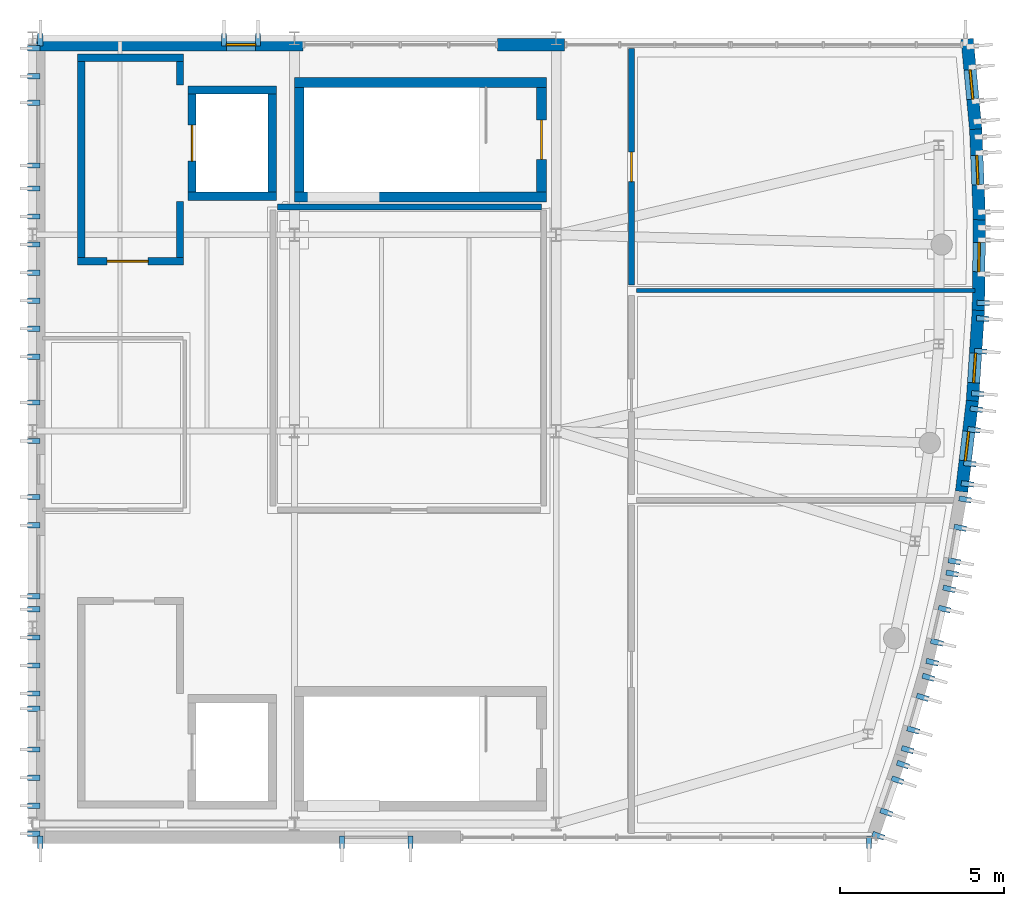
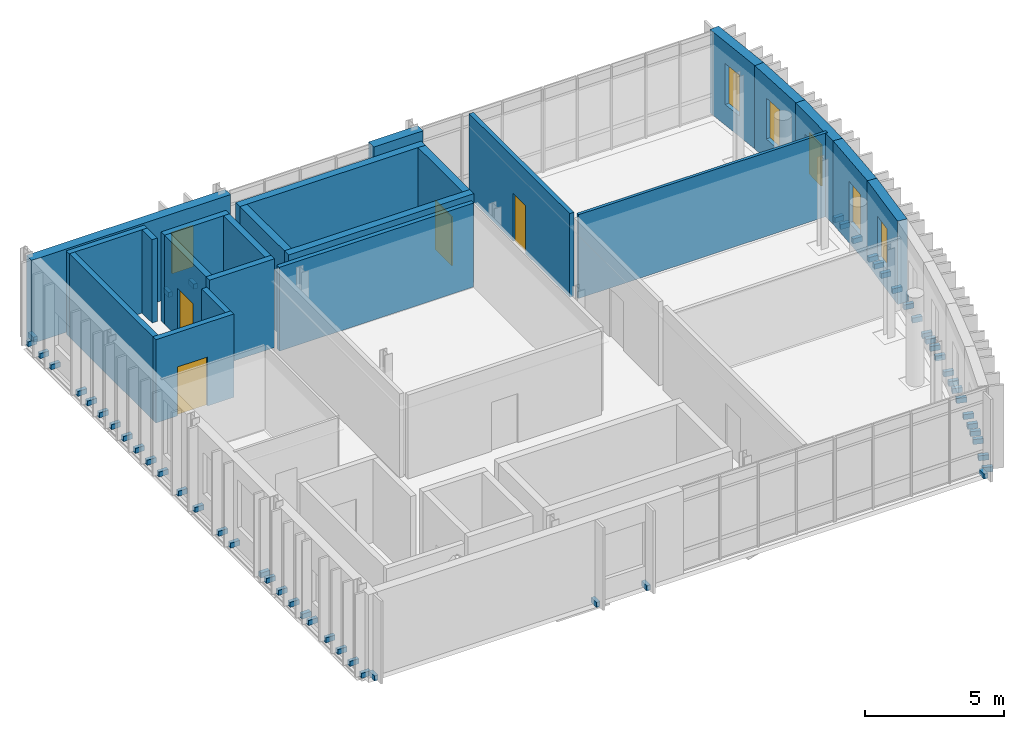
# One storey, part 7 of 9: 56 discrete accessories, 23 walls, 6 windows, 4 doors, 10 openings.
"""IFC4 building model written with IfcOpenShell, lengths in metres."""

from ifc_helpers import new_model, si_unit, direction, frame, frame_2d, origin, origin_2d, place, context, subcontext, project, spatial, rectangle, extrude, material, layer, layer_set, type_object, element, fill, save


model = new_model("IFC4")

# Units and contexts
model_context = context("Model", 3, precision=1e-05, world=origin(), true_north=direction((0.0, 1.0)))
body_context = subcontext(model_context, "Body", "Model", "MODEL_VIEW")
ifc_project = project(units=[si_unit("LENGTHUNIT", "METRE"), si_unit("AREAUNIT", "SQUARE_METRE"), si_unit("VOLUMEUNIT", "CUBIC_METRE"), si_unit("PLANEANGLEUNIT", "RADIAN"), si_unit("MASSUNIT", "GRAM", prefix="KILO")], contexts=[model_context])

# Site, building, storey
site_placement = place(None, origin())
site = spatial("IfcSite", under=ifc_project, at=site_placement, CompositionType="ELEMENT")
building_placement = place(site_placement, origin())
building = spatial("IfcBuilding", under=site, at=building_placement, Name="Cymarion Research Institute", CompositionType="ELEMENT")
storey_placement = place(building_placement, frame((0.0, 0.0, 42.300048828125)))
storey = spatial("IfcBuildingStorey", under=building, at=storey_placement, Name="L10", CompositionType="ELEMENT", Elevation=42.300048828125)

# Wall, opening, window
ifc_material_1 = material(Name="Precast concrete C40/50", Category="concrete")
ifc_layer_1 = layer(ifc_material_1, 0.3798828125)
ifc_layer_set_1 = layer_set([ifc_layer_1], Name="Precast concrete C40/50")
wall_type_1 = type_object("IfcWallType", Name="EXTERIOR WALL EW-PC380 380MM", PredefinedType="SOLIDWALL", material=ifc_layer_set_1)
wall_1_placement = place(storey_placement, frame((166.984619140625, 15.6552734375, 0.0), z_axis=(0.0, 0.0, 1.0), x_axis=(0.118779618782, 0.992920642429, 0.0)))
wall_1 = element("IfcWall", 1, at=wall_1_placement, inside=storey, type_object=wall_type_1, Name="L10 V1 exterior wall EW-PC380 #328", PredefinedType="SOLIDWALL", context=body_context, shape_type="SweptSolid", body=[
    extrude(rectangle(XDim=2.791259765625, YDim=0.3798828125, at=frame_2d((1.3955078125, 0.0))), origin(), (0.0, 0.0, 1.0), 3.659912109375),
])
opening_1_placement = place(wall_1_placement, frame((0.946044921875, 0.0, 0.89990234375)))
opening_1 = element("IfcOpeningElement", 2, at=opening_1_placement, cuts=wall_1, Name="Opening W24", PredefinedType="OPENING", context=body_context, shape_type="SweptSolid", body=[
    extrude(rectangle(XDim=0.89990234375, YDim=1.800048828125, at=frame_2d((0.449951171875, 0.89990234375))), frame((0.0, 0.199951171875, 0.0), z_axis=(0.0, -1.0, 0.0), x_axis=(1.0, 0.0, 0.0)), (0.0, 0.0, 1.0), 0.39990234375),
])
ifc_material_2 = material(Name="Thermally broken aluminium window with Low-E glazing", Category="aluminium")
window_type = type_object("IfcWindowType", Name="THERMALLY BROKEN ALUMINIUM WINDOW W24 900X1800", PartitioningType="SINGLE_PANEL", PredefinedType="WINDOW", material=ifc_material_2)
window_1_placement = place(opening_1_placement, origin())
window_1 = element("IfcWindow", 3, at=window_1_placement, inside=storey, type_object=window_type, Name="L10 V1 facade window W24 #567", OverallHeight=1.800048828125, OverallWidth=0.89990234375, PartitioningType="SINGLE_PANEL", PredefinedType="WINDOW", context=body_context, shape_type="SweptSolid", body=[
    extrude(rectangle(XDim=0.89990234375, YDim=1.800048828125, at=frame_2d((0.449951171875, 0.89990234375))), frame((0.0, 0.030029296875, 0.0), z_axis=(0.0, -1.0, 0.0), x_axis=(1.0, 0.0, 0.0)), (0.0, 0.0, 1.0), 0.06005859375),
])
fill(opening_1, window_1)

wall_2_placement = place(storey_placement, frame((167.314453125, 18.404541015625, 0.0), z_axis=(0.0, 0.0, 1.0), x_axis=(0.065595994181, 0.997846263483, 0.0)))
wall_2 = element("IfcWall", 4, at=wall_2_placement, inside=storey, type_object=wall_type_1, Name="L10 V1 exterior wall EW-PC380 #329", PredefinedType="SOLIDWALL", context=body_context, shape_type="SweptSolid", body=[
    extrude(rectangle(XDim=2.79150390625, YDim=0.3798828125, at=frame_2d((1.395751953125, 0.0))), origin(), (0.0, 0.0, 1.0), 3.659912109375),
])
opening_2_placement = place(wall_2_placement, frame((0.5791015625, 0.0, 0.89990234375)))
opening_2 = element("IfcOpeningElement", 5, at=opening_2_placement, cuts=wall_2, Name="Opening W24", PredefinedType="OPENING", context=body_context, shape_type="SweptSolid", body=[
    extrude(rectangle(XDim=0.89990234375, YDim=1.800048828125, at=frame_2d((0.449951171875, 0.89990234375))), frame((0.0, 0.199951171875, 0.0), z_axis=(0.0, -1.0, 0.0), x_axis=(1.0, 0.0, 0.0)), (0.0, 0.0, 1.0), 0.39990234375),
])
window_2_placement = place(opening_2_placement, origin())
window_2 = element("IfcWindow", 6, at=window_2_placement, inside=storey, type_object=window_type, Name="L10 V1 facade window W24 #568", OverallHeight=1.800048828125, OverallWidth=0.89990234375, PartitioningType="SINGLE_PANEL", PredefinedType="WINDOW", context=body_context, shape_type="SweptSolid", body=[
    extrude(rectangle(XDim=0.89990234375, YDim=1.800048828125, at=frame_2d((0.449951171875, 0.89990234375))), frame((0.0, 0.030029296875, 0.0), z_axis=(0.0, -1.0, 0.0), x_axis=(1.0, 0.0, 0.0)), (0.0, 0.0, 1.0), 0.06005859375),
])
fill(opening_2, window_2)

wall_3_placement = place(storey_placement, frame((167.4970703125, 21.167724609375, 0.0), z_axis=(0.0, 0.0, 1.0), x_axis=(0.012157953676, 0.99992608935, 0.0)))
wall_3 = element("IfcWall", 7, at=wall_3_placement, inside=storey, type_object=wall_type_1, Name="L10 V1 exterior wall EW-PC380 #330", PredefinedType="SOLIDWALL", context=body_context, shape_type="SweptSolid", body=[
    extrude(rectangle(XDim=2.791259765625, YDim=0.3798828125, at=frame_2d((1.3955078125, 0.0))), origin(), (0.0, 0.0, 1.0), 3.659912109375),
])
opening_3_placement = place(wall_3_placement, frame((1.201904296875, 0.0, 0.89990234375)))
opening_3 = element("IfcOpeningElement", 8, at=opening_3_placement, cuts=wall_3, Name="Opening W24", PredefinedType="OPENING", context=body_context, shape_type="SweptSolid", body=[
    extrude(rectangle(XDim=0.89990234375, YDim=1.800048828125, at=frame_2d((0.449951171875, 0.89990234375))), frame((0.0, 0.199951171875, 0.0), z_axis=(0.0, -1.0, 0.0), x_axis=(1.0, 0.0, 0.0)), (0.0, 0.0, 1.0), 0.39990234375),
])
window_3_placement = place(opening_3_placement, origin())
window_3 = element("IfcWindow", 9, at=window_3_placement, inside=storey, type_object=window_type, Name="L10 V1 facade window W24 #569", OverallHeight=1.800048828125, OverallWidth=0.89990234375, PartitioningType="SINGLE_PANEL", PredefinedType="WINDOW", context=body_context, shape_type="SweptSolid", body=[
    extrude(rectangle(XDim=0.89990234375, YDim=1.800048828125, at=frame_2d((0.449951171875, 0.89990234375))), frame((0.0, 0.030029296875, 0.0), z_axis=(0.0, -1.0, 0.0), x_axis=(1.0, 0.0, 0.0)), (0.0, 0.0, 1.0), 0.06005859375),
])
fill(opening_3, window_3)

wall_4_placement = place(storey_placement, frame((167.53173828125, 23.9365234375, 0.0), z_axis=(0.0, 0.0, 1.0), x_axis=(-0.041284914613, 0.999147414462, 0.0)))
wall_4 = element("IfcWall", 10, at=wall_4_placement, inside=storey, type_object=wall_type_1, Name="L10 V1 exterior wall EW-PC380 #331", PredefinedType="SOLIDWALL", context=body_context, shape_type="SweptSolid", body=[
    extrude(rectangle(XDim=2.791259765625, YDim=0.3798828125, at=frame_2d((1.3955078125, 0.0))), origin(), (0.0, 0.0, 1.0), 3.659912109375),
])
opening_4_placement = place(wall_4_placement, frame((1.093017578125, 0.0, 0.89990234375)))
opening_4 = element("IfcOpeningElement", 11, at=opening_4_placement, cuts=wall_4, Name="Opening W24", PredefinedType="OPENING", context=body_context, shape_type="SweptSolid", body=[
    extrude(rectangle(XDim=0.89990234375, YDim=1.800048828125, at=frame_2d((0.449951171875, 0.89990234375))), frame((0.0, 0.199951171875, 0.0), z_axis=(0.0, -1.0, 0.0), x_axis=(1.0, 0.0, 0.0)), (0.0, 0.0, 1.0), 0.39990234375),
])
window_4_placement = place(opening_4_placement, origin())
window_4 = element("IfcWindow", 12, at=window_4_placement, inside=storey, type_object=window_type, Name="L10 V1 facade window W24 #570", OverallHeight=1.800048828125, OverallWidth=0.89990234375, PartitioningType="SINGLE_PANEL", PredefinedType="WINDOW", context=body_context, shape_type="SweptSolid", body=[
    extrude(rectangle(XDim=0.89990234375, YDim=1.800048828125, at=frame_2d((0.449951171875, 0.89990234375))), frame((0.0, 0.030029296875, 0.0), z_axis=(0.0, -1.0, 0.0), x_axis=(1.0, 0.0, 0.0)), (0.0, 0.0, 1.0), 0.06005859375),
])
fill(opening_4, window_4)

wall_5_placement = place(storey_placement, frame((167.418212890625, 26.703369140625, 0.0), z_axis=(0.0, 0.0, 1.0), x_axis=(-0.094557288026, 0.99551942185, 0.0)))
wall_5 = element("IfcWall", 13, at=wall_5_placement, inside=storey, type_object=wall_type_1, Name="L10 V1 exterior wall EW-PC380 #332", PredefinedType="SOLIDWALL", context=body_context, shape_type="SweptSolid", body=[
    extrude(rectangle(XDim=2.791015625, YDim=0.3798828125, at=frame_2d((1.3955078125, 0.0))), origin(), (0.0, 0.0, 1.0), 3.659912109375),
])
opening_5_placement = place(wall_5_placement, frame((0.946044921875, 0.0, 0.89990234375)))
opening_5 = element("IfcOpeningElement", 14, at=opening_5_placement, cuts=wall_5, Name="Opening W24", PredefinedType="OPENING", context=body_context, shape_type="SweptSolid", body=[
    extrude(rectangle(XDim=0.89990234375, YDim=1.800048828125, at=frame_2d((0.449951171875, 0.89990234375))), frame((0.0, 0.199951171875, 0.0), z_axis=(0.0, -1.0, 0.0), x_axis=(1.0, 0.0, 0.0)), (0.0, 0.0, 1.0), 0.39990234375),
])
window_5_placement = place(opening_5_placement, origin())
window_5 = element("IfcWindow", 15, at=window_5_placement, inside=storey, type_object=window_type, Name="L10 V1 facade window W24 #571", OverallHeight=1.800048828125, OverallWidth=0.89990234375, PartitioningType="SINGLE_PANEL", PredefinedType="WINDOW", context=body_context, shape_type="SweptSolid", body=[
    extrude(rectangle(XDim=0.89990234375, YDim=1.800048828125, at=frame_2d((0.449951171875, 0.89990234375))), frame((0.0, 0.030029296875, 0.0), z_axis=(0.0, -1.0, 0.0), x_axis=(1.0, 0.0, 0.0)), (0.0, 0.0, 1.0), 0.06005859375),
])
fill(opening_5, window_5)

# Wall
wall_6_placement = place(storey_placement, frame((154.860107421875, 29.31005859375, 0.0), z_axis=(0.0, 0.0, 1.0), x_axis=(-1.0, 0.0, 0.0)))
element("IfcWall", 16, at=wall_6_placement, inside=storey, type_object=wall_type_1, Name="L10 V1 facade pier wall EW-PC380 #333", PredefinedType="SOLIDWALL", context=body_context, shape_type="SweptSolid", body=[
    extrude(rectangle(XDim=2.05224609375, YDim=0.3798828125, at=frame_2d((1.026123046875, 0.0))), origin(), (0.0, 0.0, 1.0), 3.659912109375),
])

# Wall, opening, window
wall_7_placement = place(storey_placement, frame((146.860107421875, 29.31005859375, 0.0), z_axis=(0.0, 0.0, 1.0), x_axis=(-1.0, 0.0, 0.0)))
wall_7 = element("IfcWall", 17, at=wall_7_placement, inside=storey, type_object=wall_type_1, Name="L10 V1 facade pier wall EW-PC380 #334", PredefinedType="SOLIDWALL", context=body_context, shape_type="SweptSolid", body=[
    extrude(rectangle(XDim=8.260009765625, YDim=0.3798828125, at=frame_2d((4.1298828125, 0.0))), origin(), (0.0, 0.0, 1.0), 3.659912109375),
])
opening_6_placement = place(wall_7_placement, frame((1.44091796875, 0.0, 0.89990234375)))
opening_6 = element("IfcOpeningElement", 18, at=opening_6_placement, cuts=wall_7, Name="Opening W24", PredefinedType="OPENING", context=body_context, shape_type="SweptSolid", body=[
    extrude(rectangle(XDim=0.89990234375, YDim=1.800048828125, at=frame_2d((0.449951171875, 0.89990234375))), frame((0.0, 0.199951171875, 0.0), z_axis=(0.0, -1.0, 0.0), x_axis=(1.0, 0.0, 0.0)), (0.0, 0.0, 1.0), 0.39990234375),
])
window_6_placement = place(opening_6_placement, origin())
window_6 = element("IfcWindow", 19, at=window_6_placement, inside=storey, type_object=window_type, Name="L10 V1 facade window W24 #572", OverallHeight=1.800048828125, OverallWidth=0.89990234375, PartitioningType="SINGLE_PANEL", PredefinedType="WINDOW", context=body_context, shape_type="SweptSolid", body=[
    extrude(rectangle(XDim=0.89990234375, YDim=1.800048828125, at=frame_2d((0.449951171875, 0.89990234375))), frame((0.0, 0.030029296875, 0.0), z_axis=(0.0, -1.0, 0.0), x_axis=(1.0, 0.0, 0.0)), (0.0, 0.0, 1.0), 0.06005859375),
])
fill(opening_6, window_6)

# Wall
ifc_material_3 = material(Name="Moisture-resistant laboratory partition", Category="gypsum")
ifc_layer_2 = layer(ifc_material_3, 0.179931640625)
ifc_layer_set_2 = layer_set([ifc_layer_2], Name="Moisture-resistant laboratory partition")
wall_type_2 = type_object("IfcWallType", Name="INTERIOR PARTITION IW-LB180 180MM", PredefinedType="PARTITIONING", material=ifc_layer_set_2)
wall_8_placement = place(storey_placement, frame((146.080078125, 24.35009765625, 0.0), z_axis=(0.0, 0.0, 1.0), x_axis=(1.0, 0.0, 0.0)))
element("IfcWall", 20, at=wall_8_placement, inside=storey, type_object=wall_type_2, Name="L10 V1 interior partition IW-LB180 #427", PredefinedType="PARTITIONING", context=body_context, shape_type="SweptSolid", body=[
    extrude(rectangle(XDim=8.06982421875, YDim=0.179931640625, at=frame_2d((4.034912109375, 0.0))), origin(), (0.0, 0.0, 1.0), 3.679931640625),
])

# Wall, opening, door
wall_9_placement = place(storey_placement, frame((156.89990234375, 21.9599609375, 0.0), z_axis=(0.0, 0.0, 1.0), x_axis=(0.0, 1.0, 0.0)))
wall_9 = element("IfcWall", 21, at=wall_9_placement, inside=storey, type_object=wall_type_2, Name="L10 V1 interior partition IW-LB180 #434", PredefinedType="PARTITIONING", context=body_context, shape_type="SweptSolid", body=[
    extrude(rectangle(XDim=7.235107421875, YDim=0.179931640625, at=frame_2d((3.61767578125, 0.0))), origin(), (0.0, 0.0, 1.0), 3.679931640625),
])
opening_7_placement = place(wall_9_placement, frame((3.1669921875, 0.0, 0.0)))
opening_7 = element("IfcOpeningElement", 22, at=opening_7_placement, cuts=wall_9, Name="Opening D-L10-247", PredefinedType="OPENING", context=body_context, shape_type="SweptSolid", body=[
    extrude(rectangle(XDim=0.89990234375, YDim=2.10009765625, at=frame_2d((0.449951171875, 1.050048828125))), frame((0.0, 0.099853515625, 0.0), z_axis=(0.0, -1.0, 0.0), x_axis=(1.0, 0.0, 0.0)), (0.0, 0.0, 1.0), 0.199951171875),
])
ifc_material_4 = material(Name="Flush acoustic timber/steel door assembly", Category="steel")
door_type_1 = type_object("IfcDoorType", Name="ACCESSIBLE RESTROOM DOOR DT-WC090 900X2100", OperationType="NOTDEFINED", PredefinedType="DOOR", material=ifc_material_4)
door_1_placement = place(opening_7_placement, origin())
door_1 = element("IfcDoor", 23, at=door_1_placement, inside=storey, type_object=door_type_1, Name="L10 Tower WC door D-L10-247", OperationType="SINGLE_SWING_RIGHT", OverallHeight=2.10009765625, OverallWidth=0.89990234375, PredefinedType="DOOR", context=body_context, shape_type="SweptSolid", body=[
    extrude(rectangle(XDim=0.89990234375, YDim=2.10009765625, at=frame_2d((0.449951171875, 1.050048828125))), frame((0.0, 0.02490234375, 0.0), z_axis=(0.0, -1.0, 0.0), x_axis=(1.0, 0.0, 0.0)), (0.0, 0.0, 1.0), 0.050048828125),
])
fill(opening_7, door_1)

# Wall
ifc_material_5 = material(Name="Service riser shaft wall", Category="gypsum")
ifc_layer_3 = layer(ifc_material_5, 0.1201171875)
ifc_layer_set_3 = layer_set([ifc_layer_3], Name="Service riser shaft wall")
wall_type_3 = type_object("IfcWallType", Name="INTERIOR PARTITION IW-SH120 120MM", PredefinedType="PARTITIONING", material=ifc_layer_set_3)
wall_10_placement = place(storey_placement, frame((157.050048828125, 21.800048828125, 0.0), z_axis=(0.0, 0.0, 1.0), x_axis=(1.0, 0.0, 0.0)))
element("IfcWall", 24, at=wall_10_placement, inside=storey, type_object=wall_type_3, Name="L10 V1 interior partition IW-SH120 #431", PredefinedType="PARTITIONING", context=body_context, shape_type="SweptSolid", body=[
    extrude(rectangle(XDim=10.339599609375, YDim=0.1201171875, at=frame_2d((5.169921875, 0.0))), origin(), (0.0, 0.0, 1.0), 3.679931640625),
])

# Wall, opening, door
ifc_material_6 = material(Name="Concrete C40/50", Category="concrete")
ifc_layer_4 = layer(ifc_material_6, 0.219970703125)
ifc_layer_set_4 = layer_set([ifc_layer_4], Name="Concrete C40/50")
wall_type_4 = type_object("IfcWallType", Name="REINFORCED CONCRETE CORE WALL CW-FF220 220MM", PredefinedType="SOLIDWALL", material=ifc_layer_set_4)
wall_11_placement = place(storey_placement, frame((139.97998046875, 22.68994140625, 0.0), z_axis=(0.0, 0.0, 1.0), x_axis=(1.0, 0.0, 0.0)))
wall_11 = element("IfcWall", 25, at=wall_11_placement, inside=storey, type_object=wall_type_4, Name="L10 FFL-LF2-L10 south core wall", PredefinedType="SOLIDWALL", context=body_context, shape_type="SweptSolid", body=[
    extrude(rectangle(XDim=3.239990234375, YDim=0.219970703125, at=frame_2d((1.6201171875, 0.0))), origin(), (0.0, 0.0, 1.0), 3.659912109375),
])
opening_8_placement = place(wall_11_placement, frame((0.89990234375, 0.0, 0.0)))
opening_8 = element("IfcOpeningElement", 26, at=opening_8_placement, cuts=wall_11, Name="Opening FD-FFL-LF2-L10", PredefinedType="OPENING", context=body_context, shape_type="SweptSolid", body=[
    extrude(rectangle(XDim=1.25, YDim=2.14990234375, at=frame_2d((0.625, 1.074951171875))), frame((0.0, 0.119873046875, 0.0), z_axis=(0.0, -1.0, 0.0), x_axis=(1.0, 0.0, 0.0)), (0.0, 0.0, 1.0), 0.239990234375),
])
ifc_material_7 = material(Name="Fire-rated insulated steel door assembly", Category="steel")
door_type_2 = type_object("IfcDoorType", Name="FIREFIGHTING LOBBY DOOR DT-FF125 1250X2150", OperationType="NOTDEFINED", PredefinedType="DOOR", material=ifc_material_7)
door_2_placement = place(opening_8_placement, frame((1.25, 0.0, 0.0), z_axis=(0.0, 0.0, 1.0), x_axis=(-1.0, 0.0, 0.0)))
door_2 = element("IfcDoor", 27, at=door_2_placement, inside=storey, type_object=door_type_2, Name="L10 Firefighting lobby door FD-FFL-LF2-L10", OperationType="SINGLE_SWING_RIGHT", OverallHeight=2.14990234375, OverallWidth=1.25, PredefinedType="DOOR", context=body_context, shape_type="SweptSolid", body=[
    extrude(rectangle(XDim=1.25, YDim=2.14990234375, at=frame_2d((0.625, 1.074951171875))), frame((0.0, 0.02490234375, 0.0), z_axis=(0.0, -1.0, 0.0), x_axis=(1.0, 0.0, 0.0)), (0.0, 0.0, 1.0), 0.050048828125),
])
fill(opening_8, door_2)

# Walls
wall_12_placement = place(storey_placement, frame((143.219970703125, 28.909912109375, 0.0), z_axis=(0.0, 0.0, 1.0), x_axis=(-1.0, 0.0, 0.0)))
element("IfcWall", 28, at=wall_12_placement, inside=storey, type_object=wall_type_4, Name="L10 FFL-LF2-L10 north core wall", PredefinedType="SOLIDWALL", context=body_context, shape_type="SweptSolid", body=[
    extrude(rectangle(XDim=3.239990234375, YDim=0.219970703125, at=frame_2d((1.6201171875, 0.0))), origin(), (0.0, 0.0, 1.0), 3.659912109375),
])
wall_13_placement = place(storey_placement, frame((140.090087890625, 28.800048828125, 0.0), z_axis=(0.0, 0.0, 1.0), x_axis=(0.0, -1.0, 0.0)))
element("IfcWall", 29, at=wall_13_placement, inside=storey, type_object=wall_type_4, Name="L10 FFL-LF2-L10 west core wall", PredefinedType="SOLIDWALL", context=body_context, shape_type="SweptSolid", body=[
    extrude(rectangle(XDim=6.0, YDim=0.219970703125, at=frame_2d((3.0, 0.0))), origin(), (0.0, 0.0, 1.0), 3.659912109375),
])
wall_14_placement = place(storey_placement, frame((143.110107421875, 22.800048828125, 0.0), z_axis=(0.0, 0.0, 1.0), x_axis=(0.0, 1.0, 0.0)))
element("IfcWall", 30, at=wall_14_placement, inside=storey, type_object=wall_type_4, Name="Core C2 firefighting lobby east closure wall L10 #1", PredefinedType="SOLIDWALL", context=body_context, shape_type="SweptSolid", body=[
    extrude(rectangle(XDim=1.719970703125, YDim=0.219970703125, at=frame_2d((0.85986328125, 0.0))), origin(), (0.0, 0.0, 1.0), 3.659912109375),
])
wall_15_placement = place(storey_placement, frame((143.110107421875, 28.080078125, 0.0), z_axis=(0.0, 0.0, 1.0), x_axis=(0.0, 1.0, 0.0)))
element("IfcWall", 31, at=wall_15_placement, inside=storey, type_object=wall_type_4, Name="Core C2 firefighting lobby east closure wall L10 #2", PredefinedType="SOLIDWALL", context=body_context, shape_type="SweptSolid", body=[
    extrude(rectangle(XDim=0.719970703125, YDim=0.219970703125, at=frame_2d((0.35986328125, 0.0))), origin(), (0.0, 0.0, 1.0), 3.659912109375),
])
ifc_layer_5 = layer(ifc_material_6, 0.25)
ifc_layer_set_5 = layer_set([ifc_layer_5], Name="Concrete C40/50")
wall_type_5 = type_object("IfcWallType", Name="REINFORCED CONCRETE CORE WALL CW-SH250 250MM", PredefinedType="SHEAR", material=ifc_layer_set_5)
for number, where, z_axis, x_axis, name in (
    (32, (143.35009765625, 24.675048828125, 0.0), (0.0, 0.0, 1.0), (1.0, 0.0, 0.0), "L10 LSH-LF2-L10 south core wall"),
    (33, (146.050048828125, 27.925048828125, 0.0), (0.0, 0.0, 1.0), (-1.0, 0.0, 0.0), "L10 LSH-LF2-L10 north core wall"),
):
    element("IfcWall", number, at=place(storey_placement, frame(where, z_axis=z_axis, x_axis=x_axis)), inside=storey, type_object=wall_type_5, Name=name, PredefinedType="SHEAR", context=body_context, shape_type="SweptSolid", body=[
        extrude(rectangle(XDim=2.699951171875, YDim=0.25, at=frame_2d((1.35009765625, 0.0))), origin(), (0.0, 0.0, 1.0), 3.89990234375),
    ])

# Wall, opening, door
wall_16_placement = place(storey_placement, frame((143.47509765625, 27.800048828125, 0.0), z_axis=(0.0, 0.0, 1.0), x_axis=(0.0, -1.0, 0.0)))
wall_16 = element("IfcWall", 34, at=wall_16_placement, inside=storey, type_object=wall_type_5, Name="L10 LSH-LF2-L10 west core wall", PredefinedType="SHEAR", context=body_context, shape_type="SweptSolid", body=[
    extrude(rectangle(XDim=3.0, YDim=0.25, at=frame_2d((1.5, 0.0))), origin(), (0.0, 0.0, 1.0), 3.89990234375),
])
opening_9_placement = place(wall_16_placement, frame((0.949951171875, 0.0, 0.0)))
opening_9 = element("IfcOpeningElement", 35, at=opening_9_placement, cuts=wall_16, Name="Opening LD-LF2-L10", PredefinedType="OPENING", context=body_context, shape_type="SweptSolid", body=[
    extrude(rectangle(XDim=1.10009765625, YDim=2.14990234375, at=frame_2d((0.550048828125, 1.074951171875))), frame((0.0, 0.135009765625, 0.0), z_axis=(0.0, -1.0, 0.0), x_axis=(1.0, 0.0, 0.0)), (0.0, 0.0, 1.0), 0.27001953125),
])
door_type_3 = type_object("IfcDoorType", Name="SLIDING LIFT LANDING DOOR DT-LD110 1100X2150", OperationType="DOUBLE_DOOR_SLIDING", PredefinedType="DOOR", material=ifc_material_7)
door_3_placement = place(opening_9_placement, origin())
door_3 = element("IfcDoor", 36, at=door_3_placement, inside=storey, type_object=door_type_3, Name="Lift LF2 landing door L10", OperationType="DOUBLE_DOOR_SLIDING", OverallHeight=2.14990234375, OverallWidth=1.10009765625, PredefinedType="DOOR", context=body_context, shape_type="SweptSolid", body=[
    extrude(rectangle(XDim=1.10009765625, YDim=2.14990234375, at=frame_2d((0.550048828125, 1.074951171875))), frame((0.0, 0.02490234375, 0.0), z_axis=(0.0, -1.0, 0.0), x_axis=(1.0, 0.0, 0.0)), (0.0, 0.0, 1.0), 0.050048828125),
])
fill(opening_9, door_3)

# Walls
wall_17_placement = place(storey_placement, frame((145.925048828125, 24.800048828125, 0.0), z_axis=(0.0, 0.0, 1.0), x_axis=(0.0, 1.0, 0.0)))
element("IfcWall", 37, at=wall_17_placement, inside=storey, type_object=wall_type_5, Name="L10 LSH-LF2-L10 east core wall", PredefinedType="SHEAR", context=body_context, shape_type="SweptSolid", body=[
    extrude(rectangle(XDim=3.0, YDim=0.25, at=frame_2d((1.5, 0.0))), origin(), (0.0, 0.0, 1.0), 3.89990234375),
])
ifc_layer_6 = layer(ifc_material_6, 0.300048828125)
ifc_layer_set_6 = layer_set([ifc_layer_6], Name="Concrete C40/50")
wall_type_6 = type_object("IfcWallType", Name="REINFORCED CONCRETE CORE WALL CW-SH300 300MM", PredefinedType="SHEAR", material=ifc_layer_set_6)
for number, where, z_axis, x_axis, name in (
    (38, (146.60009765625, 24.64990234375, 0.0), (0.0, 0.0, 1.0), (1.0, 0.0, 0.0), "L10 SHW-C2-L10 south core wall"),
    (39, (154.300048828125, 28.14990234375, 0.0), (0.0, 0.0, 1.0), (-1.0, 0.0, 0.0), "L10 SHW-C2-L10 north core wall"),
):
    element("IfcWall", number, at=place(storey_placement, frame(where, z_axis=z_axis, x_axis=x_axis)), inside=storey, type_object=wall_type_6, Name=name, PredefinedType="SHEAR", context=body_context, shape_type="SweptSolid", body=[
        extrude(rectangle(XDim=7.699951171875, YDim=0.300048828125, at=frame_2d((3.85009765625, 0.0))), origin(), (0.0, 0.0, 1.0), 3.89990234375),
    ])
wall_18_placement = place(storey_placement, frame((146.75, 28.0, 0.0), z_axis=(0.0, 0.0, 1.0), x_axis=(0.0, -1.0, 0.0)))
element("IfcWall", 40, at=wall_18_placement, inside=storey, type_object=wall_type_6, Name="L10 SHW-C2-L10 west core wall", PredefinedType="SHEAR", context=body_context, shape_type="SweptSolid", body=[
    extrude(rectangle(XDim=3.199951171875, YDim=0.300048828125, at=frame_2d((1.60009765625, 0.0))), origin(), (0.0, 0.0, 1.0), 3.89990234375),
])

# Wall, opening, door
wall_19_placement = place(storey_placement, frame((154.14990234375, 24.800048828125, 0.0), z_axis=(0.0, 0.0, 1.0), x_axis=(0.0, 1.0, 0.0)))
wall_19 = element("IfcWall", 41, at=wall_19_placement, inside=storey, type_object=wall_type_6, Name="L10 SHW-C2-L10 east core wall", PredefinedType="SHEAR", context=body_context, shape_type="SweptSolid", body=[
    extrude(rectangle(XDim=3.199951171875, YDim=0.300048828125, at=frame_2d((1.60009765625, 0.0))), origin(), (0.0, 0.0, 1.0), 3.89990234375),
])
opening_10_placement = place(wall_19_placement, frame((1.0, 0.0, 0.0)))
opening_10 = element("IfcOpeningElement", 42, at=opening_10_placement, cuts=wall_19, Name="Opening FD-L10-ST2", PredefinedType="OPENING", context=body_context, shape_type="SweptSolid", body=[
    extrude(rectangle(XDim=1.199951171875, YDim=2.14990234375, at=frame_2d((0.60009765625, 1.074951171875))), frame((0.0, 0.159912109375, 0.0), z_axis=(0.0, -1.0, 0.0), x_axis=(1.0, 0.0, 0.0)), (0.0, 0.0, 1.0), 0.320068359375),
])
door_type_4 = type_object("IfcDoorType", Name="SMOKE PROOF STAIR FIRE DOOR DT-ST120 1200X2150", OperationType="NOTDEFINED", PredefinedType="DOOR", material=ifc_material_7)
door_4_placement = place(opening_10_placement, origin())
door_4 = element("IfcDoor", 43, at=door_4_placement, inside=storey, type_object=door_type_4, Name="L10 ST2 smoke-proof stair door FD-L10-ST2", OperationType="SINGLE_SWING_LEFT", OverallHeight=2.14990234375, OverallWidth=1.199951171875, PredefinedType="DOOR", context=body_context, shape_type="SweptSolid", body=[
    extrude(rectangle(XDim=1.199951171875, YDim=2.14990234375, at=frame_2d((0.60009765625, 1.074951171875))), frame((0.0, 0.02490234375, 0.0), z_axis=(0.0, -1.0, 0.0), x_axis=(1.0, 0.0, 0.0)), (0.0, 0.0, 1.0), 0.050048828125),
])
fill(opening_10, door_4)

# Discrete accessories
ifc_material_8 = material(Name="Steel S355", Category="steel")
discrete_accessory_type = type_object("IfcDiscreteAccessoryType", Name="STAINLESS STEEL FACADE FIN BRACKET FBK1", PredefinedType="BRACKET", material=ifc_material_8)
for number, where, z_axis, x_axis, name in (
    (44, (138.840087890625, 4.93994140625, -0.08984375), (0.0, 0.0, 1.0), (0.0, -1.0, 0.0), "L10 V1 precast fin anchor bracket #862"),
    (45, (148.055908203125, 4.93994140625, -0.08984375), (0.0, 0.0, 1.0), (0.0, -1.0, 0.0), "L10 V1 precast fin anchor bracket #863"),
    (46, (150.14599609375, 4.93994140625, -0.08984375), (0.0, 0.0, 1.0), (0.0, -1.0, 0.0), "L10 V1 precast fin anchor bracket #864"),
    (47, (164.159912109375, 4.93994140625, -0.08984375), (0.0, 0.0, 1.0), (0.0, -1.0, 0.0), "L10 V1 precast fin anchor bracket #865"),
    (48, (164.440673828125, 5.139892578125, -0.08984375), (0.0, 0.0, 1.0), (0.945120113509, -0.326723080054, 0.0), "L10 V1 precast fin anchor bracket #866"),
    (49, (164.6875, 5.85400390625, -0.08984375), (0.0, 0.0, 1.0), (0.945120113509, -0.326723080054, 0.0), "L10 V1 precast fin anchor bracket #867"),
    (50, (165.02734375, 6.8369140625, -0.08984375), (0.0, 0.0, 1.0), (0.945120113509, -0.326723080054, 0.0), "L10 V1 precast fin anchor bracket #868"),
    (51, (165.19189453125, 7.31298828125, -0.08984375), (0.0, 0.0, 1.0), (0.945120113509, -0.326723080054, 0.0), "L10 V1 precast fin anchor bracket #869"),
    (52, (165.3359375, 7.768310546875, -0.08984375), (0.0, 0.0, 1.0), (0.961213573504, -0.275805123434, 0.0), "L10 V1 precast fin anchor bracket #870"),
    (53, (165.508056640625, 8.3681640625, -0.08984375), (0.0, 0.0, 1.0), (0.961213573504, -0.275805123434, 0.0), "L10 V1 precast fin anchor bracket #871"),
    (54, (165.794921875, 9.367919921875, -0.08984375), (0.0, 0.0, 1.0), (0.961213573504, -0.275805123434, 0.0), "L10 V1 precast fin anchor bracket #872"),
    (55, (165.97021484375, 9.978515625, -0.08984375), (0.0, 0.0, 1.0), (0.961213573504, -0.275805123434, 0.0), "L10 V1 precast fin anchor bracket #873"),
    (56, (166.089599609375, 10.44091796875, -0.08984375), (0.0, 0.0, 1.0), (0.974566000575, -0.224100670509, 0.0), "L10 V1 precast fin anchor bracket #874"),
    (57, (166.2294921875, 11.049072265625, -0.08984375), (0.0, 0.0, 1.0), (0.974566000575, -0.224100670509, 0.0), "L10 V1 precast fin anchor bracket #875"),
    (58, (166.46240234375, 12.062744140625, -0.08984375), (0.0, 0.0, 1.0), (0.974566000575, -0.224100670509, 0.0), "L10 V1 precast fin anchor bracket #876"),
    (59, (166.604736328125, 12.681640625, -0.08984375), (0.0, 0.0, 1.0), (0.974566000575, -0.224100670509, 0.0), "L10 V1 precast fin anchor bracket #877"),
    (60, (166.69921875, 13.14990234375, -0.08984375), (0.0, 0.0, 1.0), (0.985139318439, -0.171757163649, 0.0), "L10 V1 precast fin anchor bracket #878"),
    (61, (166.764404296875, 13.523193359375, -0.08984375), (0.0, 0.0, 1.0), (0.985139318439, -0.171757163649, 0.0), "L10 V1 precast fin anchor bracket #879"),
    (62, (166.94287109375, 14.5478515625, -0.08984375), (0.0, 0.0, 1.0), (0.985139318439, -0.171757163649, 0.0), "L10 V1 precast fin anchor bracket #880"),
    (63, (167.093994140625, 15.4150390625, -0.08984375), (0.0, 0.0, 1.0), (0.985139318439, -0.171757163649, 0.0), "L10 V1 precast fin anchor bracket #881"),
    (64, (167.16357421875, 15.8876953125, -0.08984375), (0.0, 0.0, 1.0), (0.992924116831, -0.118750571435, 0.0), "L10 V1 precast fin anchor bracket #882"),
    (65, (167.237548828125, 16.507080078125, -0.08984375), (0.0, 0.0, 1.0), (0.992924116831, -0.118750571435, 0.0), "L10 V1 precast fin anchor bracket #883"),
    (66, (167.361083984375, 17.539794921875, -0.08984375), (0.0, 0.0, 1.0), (0.992924116831, -0.118750571435, 0.0), "L10 V1 precast fin anchor bracket #884"),
    (67, (167.436767578125, 18.170654296875, -0.08984375), (0.0, 0.0, 1.0), (0.992924116831, -0.118750571435, 0.0), "L10 V1 precast fin anchor bracket #885"),
    (68, (167.480712890625, 18.646240234375, -0.08984375), (0.0, 0.0, 1.0), (0.997847493041, -0.06557728747, 0.0), "L10 V1 precast fin anchor bracket #886"),
    (69, (167.565673828125, 19.9404296875, -0.08984375), (0.0, 0.0, 1.0), (0.997847493041, -0.06557728747, 0.0), "L10 V1 precast fin anchor bracket #887"),
    (70, (167.631591796875, 20.940673828125, -0.08984375), (0.0, 0.0, 1.0), (0.997847493041, -0.06557728747, 0.0), "L10 V1 precast fin anchor bracket #888"),
    (71, (167.64990234375, 21.41796875, -0.08984375), (0.0, 0.0, 1.0), (0.99992536966, -0.012217000835, 0.0), "L10 V1 precast fin anchor bracket #889"),
    (72, (145.489013671875, 29.4599609375, -0.08984375), (0.0, 0.0, 1.0), (0.0, 1.0, 0.0), "L10 V1 precast fin anchor bracket #902"),
    (73, (144.448974609375, 29.4599609375, -0.08984375), (0.0, 0.0, 1.0), (0.0, 1.0, 0.0), "L10 V1 precast fin anchor bracket #903"),
    (74, (138.840087890625, 29.4599609375, -0.08984375), (0.0, 0.0, 1.0), (0.0, 1.0, 0.0), "L10 V1 precast fin anchor bracket #904"),
    (75, (138.639892578125, 29.199951171875, -0.08984375), (0.0, 0.0, 1.0), (-1.0, 0.0, 0.0), "L10 V1 precast fin anchor bracket #905"),
    (76, (138.639892578125, 28.343017578125, -0.08984375), (0.0, 0.0, 1.0), (-1.0, 0.0, 0.0), "L10 V1 precast fin anchor bracket #906"),
    (77, (138.639892578125, 27.533935546875, -0.08984375), (0.0, 0.0, 1.0), (-1.0, 0.0, 0.0), "L10 V1 precast fin anchor bracket #907"),
    (78, (138.639892578125, 25.614013671875, -0.08984375), (0.0, 0.0, 1.0), (-1.0, 0.0, 0.0), "L10 V1 precast fin anchor bracket #908"),
    (79, (138.639892578125, 24.914306640625, -0.08984375), (0.0, 0.0, 1.0), (-1.0, 0.0, 0.0), "L10 V1 precast fin anchor bracket #909"),
    (80, (138.639892578125, 24.05712890625, -0.08984375), (0.0, 0.0, 1.0), (-1.0, 0.0, 0.0), "L10 V1 precast fin anchor bracket #910"),
    (81, (138.639892578125, 23.199951171875, -0.08984375), (0.0, 0.0, 1.0), (-1.0, 0.0, 0.0), "L10 V1 precast fin anchor bracket #911"),
    (82, (138.639892578125, 22.343017578125, -0.08984375), (0.0, 0.0, 1.0), (-1.0, 0.0, 0.0), "L10 V1 precast fin anchor bracket #912"),
    (83, (138.639892578125, 21.485595703125, -0.08984375), (0.0, 0.0, 1.0), (-1.0, 0.0, 0.0), "L10 V1 precast fin anchor bracket #913"),
    (84, (138.639892578125, 20.628662109375, -0.08984375), (0.0, 0.0, 1.0), (-1.0, 0.0, 0.0), "L10 V1 precast fin anchor bracket #914"),
    (85, (138.639892578125, 19.771484375, -0.08984375), (0.0, 0.0, 1.0), (-1.0, 0.0, 0.0), "L10 V1 precast fin anchor bracket #915"),
    (86, (138.639892578125, 18.3798828125, -0.08984375), (0.0, 0.0, 1.0), (-1.0, 0.0, 0.0), "L10 V1 precast fin anchor bracket #916"),
    (87, (138.639892578125, 17.199951171875, -0.08984375), (0.0, 0.0, 1.0), (-1.0, 0.0, 0.0), "L10 V1 precast fin anchor bracket #917"),
    (88, (138.639892578125, 15.485595703125, -0.08984375), (0.0, 0.0, 1.0), (-1.0, 0.0, 0.0), "L10 V1 precast fin anchor bracket #918"),
    (89, (138.639892578125, 14.628662109375, -0.08984375), (0.0, 0.0, 1.0), (-1.0, 0.0, 0.0), "L10 V1 precast fin anchor bracket #919"),
    (90, (138.639892578125, 12.4599609375, -0.08984375), (0.0, 0.0, 1.0), (-1.0, 0.0, 0.0), "L10 V1 precast fin anchor bracket #920"),
    (91, (138.639892578125, 12.05712890625, -0.08984375), (0.0, 0.0, 1.0), (-1.0, 0.0, 0.0), "L10 V1 precast fin anchor bracket #921"),
    (92, (138.639892578125, 11.199951171875, -0.08984375), (0.0, 0.0, 1.0), (-1.0, 0.0, 0.0), "L10 V1 precast fin anchor bracket #922"),
    (93, (138.639892578125, 10.343017578125, -0.08984375), (0.0, 0.0, 1.0), (-1.0, 0.0, 0.0), "L10 V1 precast fin anchor bracket #923"),
    (94, (138.639892578125, 9.485595703125, -0.08984375), (0.0, 0.0, 1.0), (-1.0, 0.0, 0.0), "L10 V1 precast fin anchor bracket #924"),
    (95, (138.639892578125, 9.02001953125, -0.08984375), (0.0, 0.0, 1.0), (-1.0, 0.0, 0.0), "L10 V1 precast fin anchor bracket #925"),
    (96, (138.639892578125, 7.771484375, -0.08984375), (0.0, 0.0, 1.0), (-1.0, 0.0, 0.0), "L10 V1 precast fin anchor bracket #926"),
    (97, (138.639892578125, 6.914306640625, -0.08984375), (0.0, 0.0, 1.0), (-1.0, 0.0, 0.0), "L10 V1 precast fin anchor bracket #927"),
    (98, (138.639892578125, 6.05712890625, -0.08984375), (0.0, 0.0, 1.0), (-1.0, 0.0, 0.0), "L10 V1 precast fin anchor bracket #928"),
    (99, (138.639892578125, 5.199951171875, -0.08984375), (0.0, 0.0, 1.0), (-1.0, 0.0, 0.0), "L10 V1 precast fin anchor bracket #929"),
):
    element("IfcDiscreteAccessory", number, at=place(storey_placement, frame(where, z_axis=z_axis, x_axis=x_axis)), inside=storey, type_object=discrete_accessory_type, Name=name, PredefinedType="BRACKET", context=body_context, shape_type="SweptSolid", body=[
        extrude(rectangle(XDim=0.3798828125, YDim=0.159912109375, at=origin_2d()), origin(), (0.0, 0.0, 1.0), 0.219970703125),
    ])

save(model, "model.ifc")
